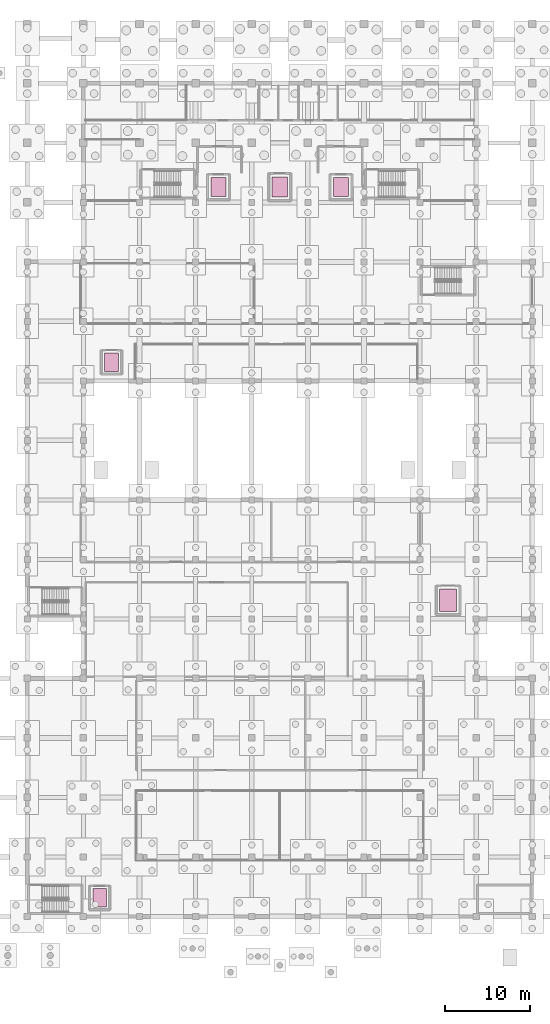
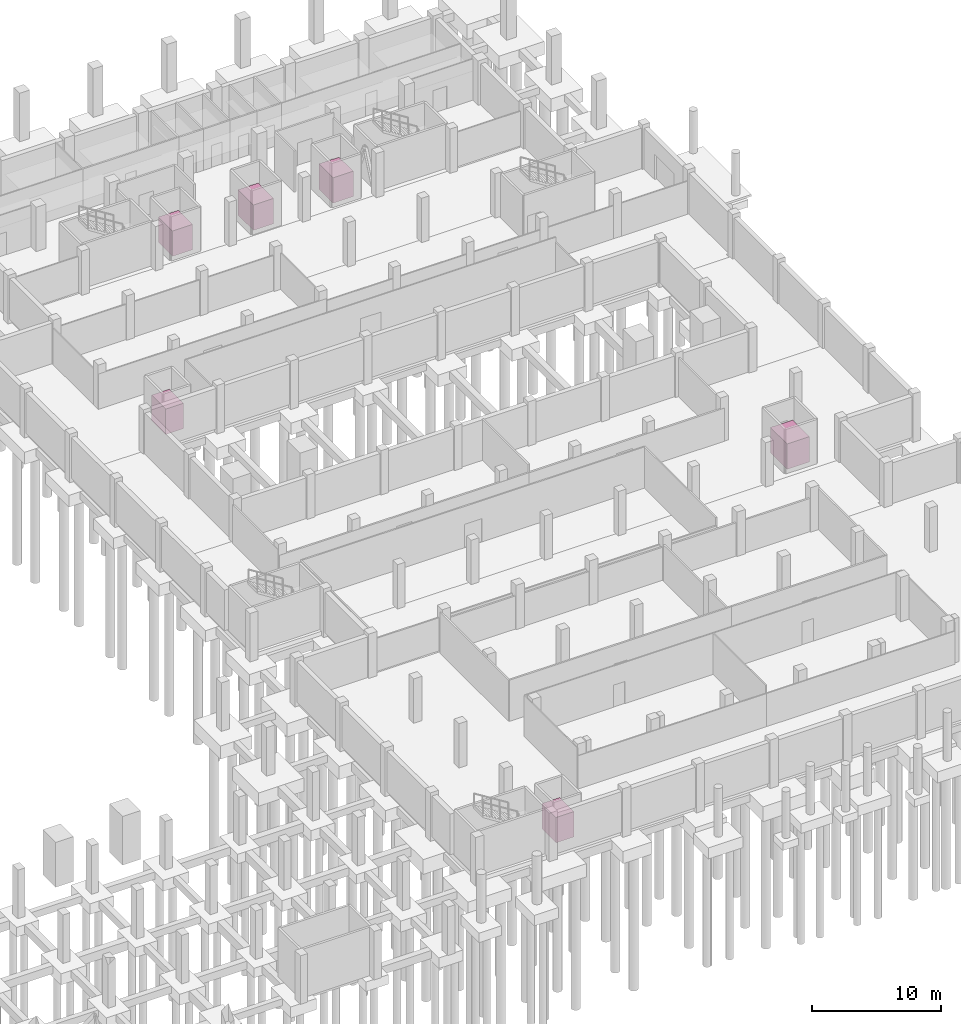
# One storey, part 27 of 27: 6 transport elements.
"""IFC4 building model written with IfcOpenShell, lengths in metres."""

from ifc_helpers import new_model, si_unit, direction, frame, origin, origin_2d, place, context, subcontext, project, spatial, rectangle, extrude, material, type_object, element, save


model = new_model("IFC4")

# Units and contexts
model_context = context("Model", 3, precision=1e-05, world=origin(), true_north=direction((0.0, 1.0)))
body_context = subcontext(model_context, "Body", "Model", "MODEL_VIEW")
ifc_project = project(units=[si_unit("LENGTHUNIT", "METRE"), si_unit("AREAUNIT", "SQUARE_METRE"), si_unit("VOLUMEUNIT", "CUBIC_METRE"), si_unit("PLANEANGLEUNIT", "RADIAN"), si_unit("MASSUNIT", "GRAM", prefix="KILO")], contexts=[model_context])

# Site, building, storey
site_placement = place(None, origin())
site = spatial("IfcSite", under=ifc_project, at=site_placement, CompositionType="ELEMENT")
building_placement = place(site_placement, origin())
building = spatial("IfcBuilding", under=site, at=building_placement, Name="Ciguamira Faculty of Natural Sciences", CompositionType="ELEMENT")
storey_placement = place(building_placement, frame((0.0, 0.0, -4.199951171875)))
storey = spatial("IfcBuildingStorey", under=building, at=storey_placement, Name="B1", CompositionType="ELEMENT", Elevation=-4.199951171875)

# Transport elements
ifc_material = material(Name="Stainless steel elevator cab", Category="steel")
transport_element_type_1 = type_object("IfcTransportElementType", Name="ElevatorCar_ELV-FF", PredefinedType="ELEVATOR", material=ifc_material)
for number, where, z_axis, x_axis, name in (
    (1, (79.800048828125, 95.800048828125, 0.0), (0.0, 0.0, 1.0), (1.0, 0.0, 0.0), "Firefighting Lift EL-FF1"),
    (2, (94.199951171875, 95.800048828125, 0.0), (0.0, 0.0, 1.0), (1.0, 0.0, 0.0), "Firefighting Lift EL-FF2"),
):
    element("IfcTransportElement", number, at=place(storey_placement, frame(where, z_axis=z_axis, x_axis=x_axis)), inside=storey, type_object=transport_element_type_1, Name=name, PredefinedType="ELEVATOR", context=body_context, shape_type="SweptSolid", body=[
        extrude(rectangle(XDim=1.800048828125, YDim=2.199951171875, at=origin_2d()), origin(), (0.0, 0.0, 1.0), 2.39990234375),
    ])
transport_element_type_2 = type_object("IfcTransportElementType", Name="ElevatorCar_ELV-GD", PredefinedType="ELEVATOR", material=ifc_material)
transport_element_1_placement = place(storey_placement, frame((106.800048828125, 47.199951171875, 0.0), z_axis=(0.0, 0.0, 1.0), x_axis=(1.0, 0.0, 0.0)))
element("IfcTransportElement", 3, at=transport_element_1_placement, inside=storey, type_object=transport_element_type_2, Name="Laboratory Specimen Service Lift EL-G1", PredefinedType="ELEVATOR", context=body_context, shape_type="SweptSolid", body=[
    extrude(rectangle(XDim=2.0, YDim=2.60009765625, at=origin_2d()), origin(), (0.0, 0.0, 1.0), 2.39990234375),
])
transport_element_type_3 = type_object("IfcTransportElementType", Name="ElevatorCar_ELV-PA", PredefinedType="ELEVATOR", material=ifc_material)
for number, where, z_axis, x_axis, name in (
    (4, (65.800048828125, 12.199951171875, 0.0), (0.0, 0.0, 1.0), (1.0, 0.0, 0.0), "Atrium Panorama Lift EL-P3"),
    (5, (67.199951171875, 75.199951171875, 0.0), (0.0, 0.0, 1.0), (1.0, 0.0, 0.0), "North Lab Passenger Lift EL-P4"),
):
    element("IfcTransportElement", number, at=place(storey_placement, frame(where, z_axis=z_axis, x_axis=x_axis)), inside=storey, type_object=transport_element_type_3, Name=name, PredefinedType="ELEVATOR", context=body_context, shape_type="SweptSolid", body=[
        extrude(rectangle(XDim=1.60009765625, YDim=2.199951171875, at=origin_2d()), origin(), (0.0, 0.0, 1.0), 2.39990234375),
    ])
transport_element_type_4 = type_object("IfcTransportElementType", Name="ElevatorCar_ELV-ST", PredefinedType="ELEVATOR", material=ifc_material)
transport_element_2_placement = place(storey_placement, frame((87.0, 95.800048828125, 0.0), z_axis=(0.0, 0.0, 1.0), x_axis=(1.0, 0.0, 0.0)))
element("IfcTransportElement", 6, at=transport_element_2_placement, inside=storey, type_object=transport_element_type_4, Name="Tower Stretcher Passenger Lift EL-P1", PredefinedType="ELEVATOR", context=body_context, shape_type="SweptSolid", body=[
    extrude(rectangle(XDim=1.800048828125, YDim=2.39990234375, at=origin_2d()), origin(), (0.0, 0.0, 1.0), 2.39990234375),
])

save(model, "model.ifc")
